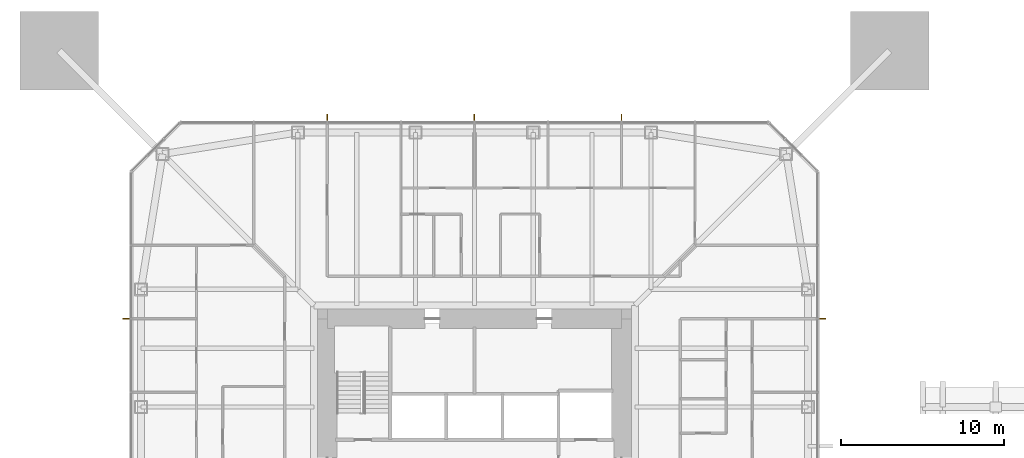
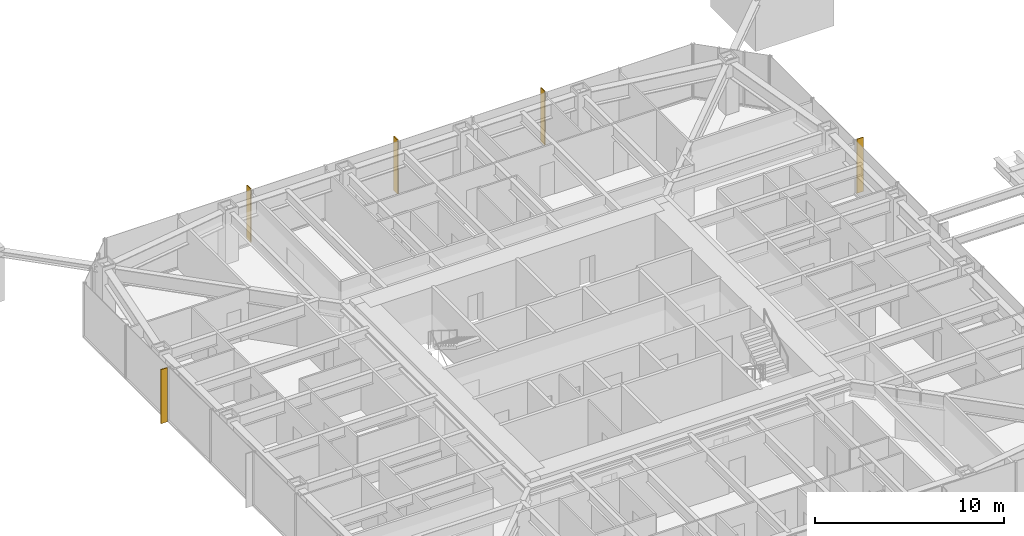
# One storey, part 26 of 27: 5 shading devices.
"""IFC4 building model written with IfcOpenShell, lengths in metres."""

from ifc_helpers import new_model, si_unit, direction, frame, origin, origin_2d, place, context, subcontext, project, spatial, rectangle, extrude, material, layer, layer_set, type_object, element, save


model = new_model("IFC4")

# Units and contexts
model_context = context("Model", 3, precision=1e-05, world=origin(), true_north=direction((0.0, 1.0)))
body_context = subcontext(model_context, "Body", "Model", "MODEL_VIEW")
ifc_project = project(units=[si_unit("LENGTHUNIT", "METRE"), si_unit("AREAUNIT", "SQUARE_METRE"), si_unit("VOLUMEUNIT", "CUBIC_METRE"), si_unit("PLANEANGLEUNIT", "RADIAN"), si_unit("MASSUNIT", "GRAM", prefix="KILO")], contexts=[model_context])

# Site, building, storey
site_placement = place(None, origin())
site = spatial("IfcSite", under=ifc_project, at=site_placement, CompositionType="ELEMENT")
building_placement = place(site_placement, origin())
building = spatial("IfcBuilding", under=site, at=building_placement, Name="Iwan Alto Co-Living Towers", CompositionType="ELEMENT")
storey_placement = place(building_placement, frame((0.0, 0.0, 94.5)))
storey = spatial("IfcBuildingStorey", under=building, at=storey_placement, Name="L25", CompositionType="ELEMENT", Elevation=94.5)

# Shading devices
ifc_material = material(Name="Aluminium 6063-T6 bronze anodised", Category="aluminium")
ifc_layer = layer(ifc_material, 0.050048828125)
ifc_layer_set = layer_set([ifc_layer], Name="BRONZE FIN 50X400")
shading_device_type = type_object("IfcShadingDeviceType", Name="BRONZE FIN 50X400", PredefinedType="USERDEFINED", material=ifc_layer_set)
for number, where, z_axis, x_axis, name in (
    (1, (21.300048828125, 9.0, 0.0), (0.0, 0.0, 1.0), (0.0, 1.0, 0.0), "Bronze fin L25"),
    (2, (9.0, 21.300048828125, 0.0), (0.0, 0.0, 1.0), (-1.0, 0.0, 0.0), "Bronze fin L25"),
    (3, (0.0, 21.300048828125, 0.0), (0.0, 0.0, 1.0), (-1.0, 0.0, 0.0), "Bronze fin L25"),
    (4, (-9.0, 21.300048828125, 0.0), (0.0, 0.0, 1.0), (-1.0, 0.0, 0.0), "Bronze fin L25"),
    (5, (-21.300048828125, 9.0, 0.0), (0.0, 0.0, 1.0), (0.0, -1.0, 0.0), "Bronze fin L25"),
):
    element("IfcShadingDevice", number, at=place(storey_placement, frame(where, z_axis=z_axis, x_axis=x_axis)), inside=storey, type_object=shading_device_type, Name=name, ObjectType="LOUVER", PredefinedType="USERDEFINED", context=body_context, shape_type="SweptSolid", body=[
        extrude(rectangle(XDim=0.050048828125, YDim=0.39990234375, at=origin_2d()), origin(), (0.0, 0.0, 1.0), 3.5),
    ])

save(model, "model.ifc")
